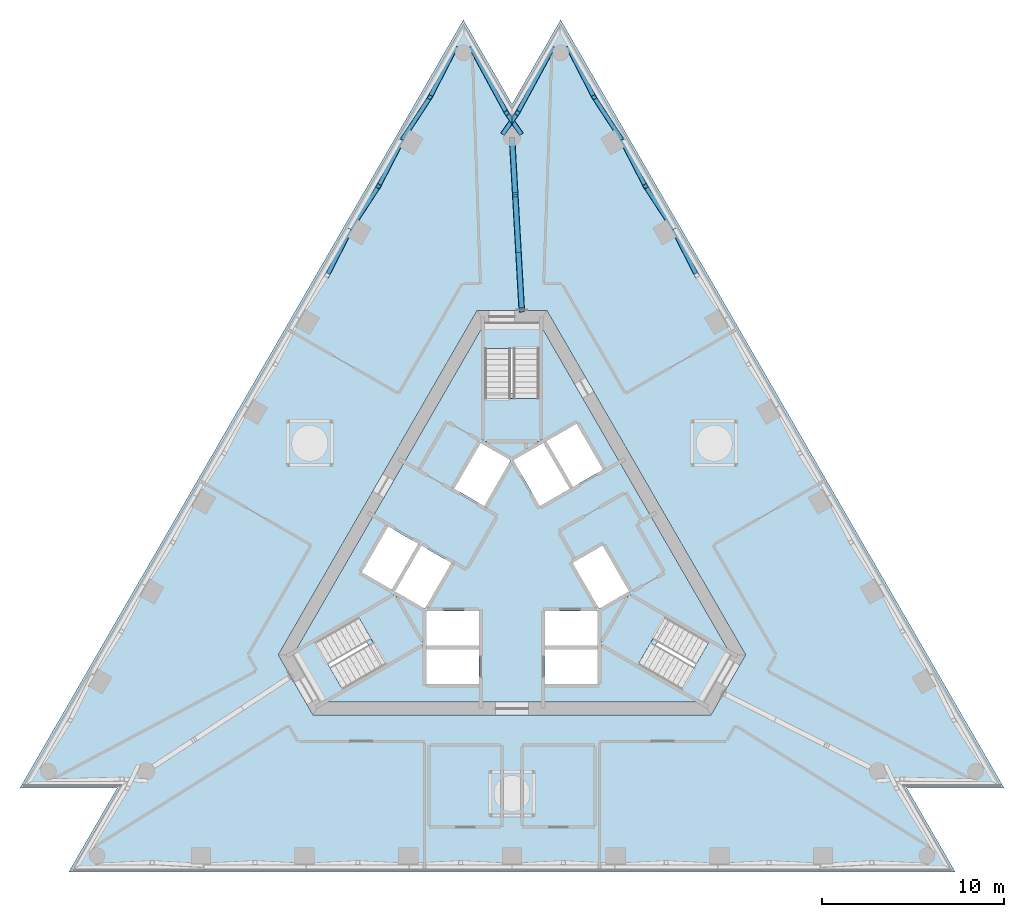
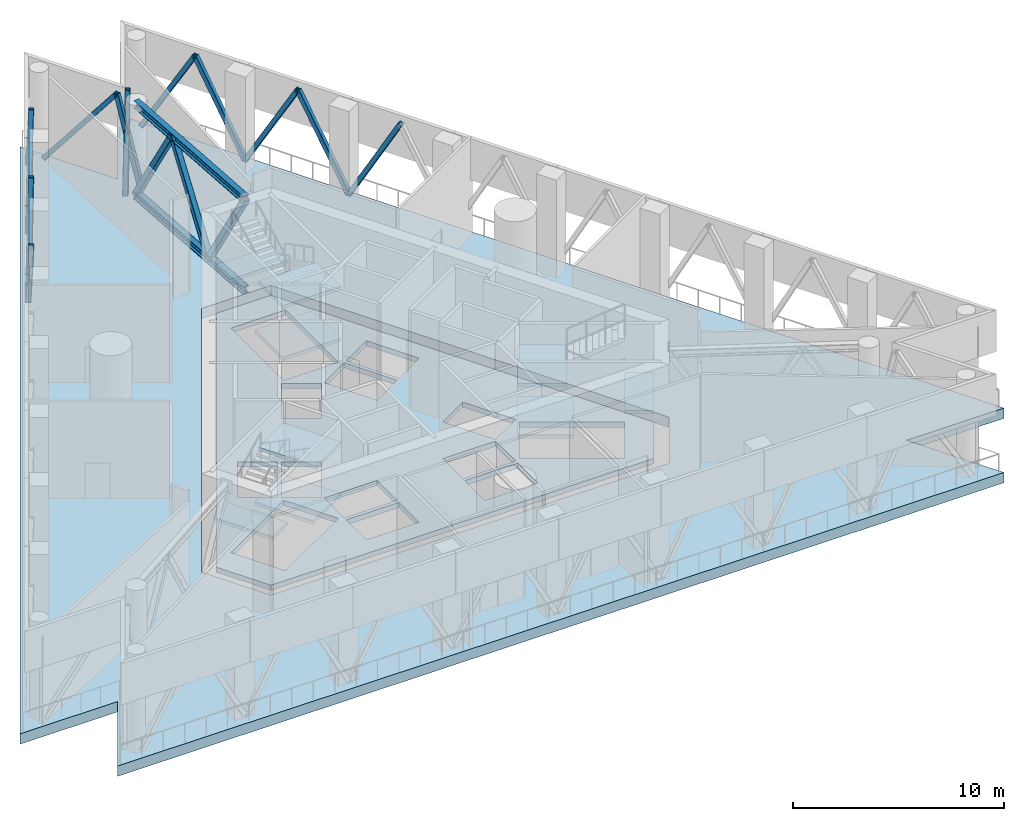
# One storey, part 6 of 15: 19 members, 11 slabs, 3 elements without a shape of their own.
"""IFC4 building model written with IfcOpenShell, lengths in metres."""

from ifc_helpers import new_model, si_unit, direction, frame, origin, origin_2d, place, context, subcontext, project, spatial, polyline, hollow_rectangle, i_section, outline, extrude, material, layer, layer_set, material_profile, profile_set, type_object, element, aggregate, save


model = new_model("IFC4")

# Units and contexts
model_context = context("Model", 3, precision=1e-05, world=origin(), true_north=direction((0.0, 1.0)))
body_context = subcontext(model_context, "Body", "Model", "MODEL_VIEW")
ifc_project = project(units=[si_unit("LENGTHUNIT", "METRE"), si_unit("AREAUNIT", "SQUARE_METRE"), si_unit("VOLUMEUNIT", "CUBIC_METRE"), si_unit("PLANEANGLEUNIT", "RADIAN"), si_unit("MASSUNIT", "GRAM", prefix="KILO")], contexts=[model_context])

# Site, building, storey
site_placement = place(None, origin())
site = spatial("IfcSite", under=ifc_project, at=site_placement, CompositionType="ELEMENT")
building_placement = place(site_placement, origin())
building = spatial("IfcBuilding", under=site, at=building_placement, Name="Triada Interchange Tower", CompositionType="ELEMENT")
storey_placement = place(building_placement, frame((0.0, 0.0, 255.800048828125)))
storey = spatial("IfcBuildingStorey", under=building, at=storey_placement, Name="L60", CompositionType="ELEMENT", Elevation=255.800048828125)

# Members
ifc_material_1 = material(Name="Steel S355", Category="steel")
ifc_material_profile_1 = material_profile(ifc_material_1, hollow_rectangle(XDim=0.25, YDim=0.25, WallThickness=0.012451171875, InnerFilletRadius=0.012451171875, OuterFilletRadius=0.018798828125, at=origin_2d()), Name="RHS 250x250x12.5")
ifc_profile_set_1 = profile_set([ifc_material_profile_1], Name="Steel S355")
member_type_1 = type_object("IfcMemberType", Name="Belt truss diagonal RHS 250x250x12.5", PredefinedType="BRACE", material=ifc_profile_set_1)
member_1_placement = place(storey_placement, frame((-3.114990234375, 28.0791015625, 0.14990234375), z_axis=(-0.230299625244, -0.447658334431, 0.864039407798), x_axis=(0.88922692845, -0.457466359113, 0.0)))
element("IfcMember", 1, at=member_1_placement, inside=storey, type_object=member_type_1, Name="Belt truss diagonal 001 L60", PredefinedType="BRACE", context=body_context, shape_type="SweptSolid", body=[
    extrude(hollow_rectangle(XDim=0.25, YDim=0.25, WallThickness=0.012451171875, InnerFilletRadius=0.012451171875, OuterFilletRadius=0.018798828125, at=origin_2d()), origin(), (0.0, 0.0, 1.0), 6.01806640625),
])
member_2_placement = place(storey_placement, frame((-5.9599609375, 23.152099609375, 0.14990234375), z_axis=(0.249648957089, 0.382076533055, 0.889771274605), x_axis=(-0.837140493837, 0.546987928184, 0.0)))
element("IfcMember", 2, at=member_2_placement, inside=storey, type_object=member_type_1, Name="Belt truss diagonal 002 L60", PredefinedType="BRACE", context=body_context, shape_type="SweptSolid", body=[
    extrude(hollow_rectangle(XDim=0.25, YDim=0.25, WallThickness=0.012451171875, InnerFilletRadius=0.012451171875, OuterFilletRadius=0.018798828125, at=origin_2d()), origin(), (0.0, 0.0, 1.0), 5.84423828125),
])
member_3_placement = place(storey_placement, frame((-5.9599609375, 23.15087890625, 0.14990234375), z_axis=(-0.227135060924, -0.442047607359, 0.867757787016), x_axis=(0.889454449962, -0.45702383028, 0.0)))
element("IfcMember", 3, at=member_3_placement, inside=storey, type_object=member_type_1, Name="Belt truss diagonal 003 L60", PredefinedType="BRACE", context=body_context, shape_type="SweptSolid", body=[
    extrude(hollow_rectangle(XDim=0.25, YDim=0.25, WallThickness=0.012451171875, InnerFilletRadius=0.012451171875, OuterFilletRadius=0.018798828125, at=origin_2d()), origin(), (0.0, 0.0, 1.0), 5.992431640625),
])
member_4_placement = place(storey_placement, frame((-8.804931640625, 18.222900390625, 0.14990234375), z_axis=(0.25287016566, 0.388374958281, 0.886127288316), x_axis=(-0.838022905001, 0.545635052662, 0.0)))
element("IfcMember", 4, at=member_4_placement, inside=storey, type_object=member_type_1, Name="Belt truss diagonal 004 L60", PredefinedType="BRACE", context=body_context, shape_type="SweptSolid", body=[
    extrude(hollow_rectangle(XDim=0.25, YDim=0.25, WallThickness=0.012451171875, InnerFilletRadius=0.012451171875, OuterFilletRadius=0.018798828125, at=origin_2d()), origin(), (0.0, 0.0, 1.0), 5.8681640625),
])
member_5_placement = place(storey_placement, frame((-8.804931640625, 18.222900390625, 0.14990234375), z_axis=(-0.223732265336, -0.43641703403, 0.87148381847), x_axis=(0.889876521651, -0.456201464503, 0.0)))
element("IfcMember", 5, at=member_5_placement, inside=storey, type_object=member_type_1, Name="Belt truss diagonal 005 L60", PredefinedType="BRACE", context=body_context, shape_type="SweptSolid", body=[
    extrude(hollow_rectangle(XDim=0.25, YDim=0.25, WallThickness=0.012451171875, InnerFilletRadius=0.012451171875, OuterFilletRadius=0.018798828125, at=origin_2d()), origin(), (0.0, 0.0, 1.0), 5.966796875),
])
member_6_placement = place(storey_placement, frame((8.804931640625, 18.22412109375, 0.14990234375), z_axis=(0.223556817487, -0.436598608968, 0.871437894518), x_axis=(0.890098665518, 0.455767885708, 0.0)))
element("IfcMember", 6, at=member_6_placement, inside=storey, type_object=member_type_1, Name="Belt truss diagonal 052 L60", PredefinedType="BRACE", context=body_context, shape_type="SweptSolid", body=[
    extrude(hollow_rectangle(XDim=0.25, YDim=0.25, WallThickness=0.012451171875, InnerFilletRadius=0.012451171875, OuterFilletRadius=0.018798828125, at=origin_2d()), origin(), (0.0, 0.0, 1.0), 5.967041015625),
])
member_7_placement = place(storey_placement, frame((8.804931640625, 18.222900390625, 0.14990234375), z_axis=(-0.25287016566, 0.388374958281, 0.886127288316), x_axis=(-0.838022905001, -0.545635052662, 0.0)))
element("IfcMember", 7, at=member_7_placement, inside=storey, type_object=member_type_1, Name="Belt truss diagonal 053 L60", PredefinedType="BRACE", context=body_context, shape_type="SweptSolid", body=[
    extrude(hollow_rectangle(XDim=0.25, YDim=0.25, WallThickness=0.012451171875, InnerFilletRadius=0.012451171875, OuterFilletRadius=0.018798828125, at=origin_2d()), origin(), (0.0, 0.0, 1.0), 5.8681640625),
])
member_8_placement = place(storey_placement, frame((5.9599609375, 23.15087890625, 0.14990234375), z_axis=(0.227135060924, -0.442047607359, 0.867757787016), x_axis=(0.889454449962, 0.45702383028, 0.0)))
element("IfcMember", 8, at=member_8_placement, inside=storey, type_object=member_type_1, Name="Belt truss diagonal 054 L60", PredefinedType="BRACE", context=body_context, shape_type="SweptSolid", body=[
    extrude(hollow_rectangle(XDim=0.25, YDim=0.25, WallThickness=0.012451171875, InnerFilletRadius=0.012451171875, OuterFilletRadius=0.018798828125, at=origin_2d()), origin(), (0.0, 0.0, 1.0), 5.992431640625),
])
member_9_placement = place(storey_placement, frame((5.9599609375, 23.152099609375, 0.14990234375), z_axis=(-0.249648957089, 0.382076533055, 0.889771274605), x_axis=(-0.837140493837, -0.546987928184, 0.0)))
element("IfcMember", 9, at=member_9_placement, inside=storey, type_object=member_type_1, Name="Belt truss diagonal 055 L60", PredefinedType="BRACE", context=body_context, shape_type="SweptSolid", body=[
    extrude(hollow_rectangle(XDim=0.25, YDim=0.25, WallThickness=0.012451171875, InnerFilletRadius=0.012451171875, OuterFilletRadius=0.018798828125, at=origin_2d()), origin(), (0.0, 0.0, 1.0), 5.84423828125),
])
member_10_placement = place(storey_placement, frame((3.114990234375, 28.0791015625, 0.14990234375), z_axis=(0.230299625244, -0.447658334431, 0.864039407798), x_axis=(0.88922692845, 0.457466359113, 0.0)))
element("IfcMember", 10, at=member_10_placement, inside=storey, type_object=member_type_1, Name="Belt truss diagonal 056 L60", PredefinedType="BRACE", context=body_context, shape_type="SweptSolid", body=[
    extrude(hollow_rectangle(XDim=0.25, YDim=0.25, WallThickness=0.012451171875, InnerFilletRadius=0.012451171875, OuterFilletRadius=0.018798828125, at=origin_2d()), origin(), (0.0, 0.0, 1.0), 6.01806640625),
])
member_11_placement = place(storey_placement, frame((2.222900390625, 28.077880859375, 0.14990234375), z_axis=(-0.29294677383, -0.539607586811, 0.789307189856), x_axis=(0.878841862564, -0.477113173791, 0.0)))
element("IfcMember", 11, at=member_11_placement, inside=storey, type_object=member_type_1, Name="Belt truss diagonal 057 L60", PredefinedType="BRACE", context=body_context, shape_type="SweptSolid", body=[
    extrude(hollow_rectangle(XDim=0.25, YDim=0.25, WallThickness=0.012451171875, InnerFilletRadius=0.012451171875, OuterFilletRadius=0.018798828125, at=origin_2d()), origin(), (0.0, 0.0, 1.0), 6.587890625),
])
for number, where, z_axis, x_axis, name in (
    (12, (-0.446044921875, 23.455078125, 0.14990234375), (0.137884367241, 0.199242227391, 0.970201234845), (-0.822293696308, 0.569063333042, 0.0), "Belt truss diagonal 058 L60"),
    (13, (0.446044921875, 23.455078125, 0.14990234375), (-0.137884367241, 0.199242227391, 0.970201234845), (-0.822293696308, -0.569063333042, 0.0), "Belt truss diagonal 059 L60"),
):
    element("IfcMember", number, at=place(storey_placement, frame(where, z_axis=z_axis, x_axis=x_axis)), inside=storey, type_object=member_type_1, Name=name, PredefinedType="BRACE", context=body_context, shape_type="SweptSolid", body=[
        extrude(hollow_rectangle(XDim=0.25, YDim=0.25, WallThickness=0.012451171875, InnerFilletRadius=0.012451171875, OuterFilletRadius=0.018798828125, at=origin_2d()), origin(), (0.0, 0.0, 1.0), 5.359619140625),
    ])
member_12_placement = place(storey_placement, frame((-2.222900390625, 28.077880859375, 0.14990234375), z_axis=(0.29294677383, -0.539607586811, 0.789307189856), x_axis=(0.878841862564, 0.477113173791, 0.0)))
element("IfcMember", 14, at=member_12_placement, inside=storey, type_object=member_type_1, Name="Belt truss diagonal 060 L60", PredefinedType="BRACE", context=body_context, shape_type="SweptSolid", body=[
    extrude(hollow_rectangle(XDim=0.25, YDim=0.25, WallThickness=0.012451171875, InnerFilletRadius=0.012451171875, OuterFilletRadius=0.018798828125, at=origin_2d()), origin(), (0.0, 0.0, 1.0), 6.587890625),
])
ifc_material_2 = material(Name="Steel S460M", Category="steel")
ifc_material_profile_2 = material_profile(ifc_material_2, i_section(OverallWidth=0.306884765625, OverallDepth=0.431884765625, WebThickness=0.02099609375, FlangeThickness=0.0400390625, FilletRadius=0.027099609375, at=origin_2d()), Name="HEM 400")
ifc_profile_set_2 = profile_set([ifc_material_profile_2], Name="Steel S460M")
member_type_2 = type_object("IfcMemberType", Name="Outrigger chord HEM 400", PredefinedType="CHORD", material=ifc_profile_set_2)
for number, where, z_axis, x_axis, name in (
    (15, (0.533935546875, 13.718017578125, 0.216064453125), (-0.056233309623, 0.998417655537, 0.0), (-0.998417655537, -0.056233309623, 0.0), "Outrigger bottom chord N L60"),
    (16, (0.533935546875, 13.718017578125, 5.48388671875), (-0.056233309623, 0.998417655537, 0.0), (-0.998417655537, -0.056233309623, 0.0), "Outrigger top chord N L60"),
):
    element("IfcMember", number, at=place(storey_placement, frame(where, z_axis=z_axis, x_axis=x_axis)), inside=storey, type_object=member_type_2, Name=name, PredefinedType="CHORD", context=body_context, shape_type="SweptSolid", body=[
        extrude(i_section(OverallWidth=0.306884765625, OverallDepth=0.431884765625, WebThickness=0.02099609375, FlangeThickness=0.0400390625, FilletRadius=0.027099609375, at=origin_2d()), origin(), (0.0, 0.0, 1.0), 9.4951171875),
    ])
ifc_material_profile_3 = material_profile(ifc_material_1, hollow_rectangle(XDim=0.300048828125, YDim=0.300048828125, WallThickness=0.01611328125, InnerFilletRadius=0.01611328125, OuterFilletRadius=0.02392578125, at=origin_2d()), Name="RHS 300x300x16")
ifc_profile_set_3 = profile_set([ifc_material_profile_3], Name="Steel S355")
member_type_3 = type_object("IfcMemberType", Name="Outrigger diagonal RHS 300x300x16", PredefinedType="BRACE", material=ifc_profile_set_3)
for number, where, z_axis, x_axis, name in (
    (17, (0.533935546875, 13.718017578125, 5.48388671875), (-0.028960977773, 0.5141864682, -0.857189324296), (-0.998417574227, -0.056234753273, 0.0), "Outrigger diagonal N 1 L60"),
    (18, (0.35595703125, 16.8779296875, 0.216064453125), (-0.02896038618, 0.514215690968, 0.857171814279), (-0.99841781814, -0.056230422545, 0.0), "Outrigger diagonal N 2 L60"),
    (19, (0.177978515625, 20.0380859375, 5.48388671875), (-0.028960977773, 0.5141864682, -0.857189324296), (-0.998417574227, -0.056234753273, 0.0), "Outrigger diagonal N 3 L60"),
):
    element("IfcMember", number, at=place(storey_placement, frame(where, z_axis=z_axis, x_axis=x_axis)), inside=storey, type_object=member_type_3, Name=name, PredefinedType="BRACE", context=body_context, shape_type="SweptSolid", body=[
        extrude(hollow_rectangle(XDim=0.300048828125, YDim=0.300048828125, WallThickness=0.01611328125, InnerFilletRadius=0.01611328125, OuterFilletRadius=0.02392578125, at=origin_2d()), origin(), (0.0, 0.0, 1.0), 6.1455078125),
    ])

# Slab
ifc_material_3 = material(Name="Concrete C50/60", Category="concrete")
ifc_layer_1 = layer(ifc_material_3, 0.300048828125)
ifc_layer_set_1 = layer_set([ifc_layer_1], Name="Floor slab 300")
slab_type_1 = type_object("IfcSlabType", Name="Floor slab 300", PredefinedType="FLOOR", material=ifc_layer_set_1)
slab_1_placement = place(storey_placement, frame((0.0, 0.0, -0.300048828125)))
element("IfcSlab", 20, at=slab_1_placement, inside=storey, type_object=slab_type_1, Name="Core floor slab L60 1", PredefinedType="FLOOR", context=body_context, shape_type="SweptSolid", body=[
    extrude(outline(polyline([(12.009033203125, -5.199951171875), (10.508056640625, -7.800048828125), (-10.508056640625, -7.800048828125), (-12.009033203125, -5.199951171875), (-1.5009765625, 13.0), (1.5009765625, 13.0), (12.009033203125, -5.199951171875)]), holes=[polyline([(9.2958984375, -7.09912109375), (10.7958984375, -4.5009765625), (6.466064453125, -2.0009765625), (4.966064453125, -4.59912109375), (9.2958984375, -7.09912109375)]), polyline([(4.77490234375, -2.669921875), (6.419921875, -1.719970703125), (4.969970703125, 0.791015625), (4.137939453125, 0.31103515625), (3.324951171875, -0.158935546875), (4.77490234375, -2.669921875)]), polyline([(1.89404296875, 6.52001953125), (3.343994140625, 4.009033203125), (4.989013671875, 4.958984375), (3.5390625, 7.469970703125), (1.89404296875, 6.52001953125)]), polyline([(1.800048828125, -4.89990234375), (1.800048828125, -6.4990234375), (1.800048828125, -6.800048828125), (4.699951171875, -6.800048828125), (4.699951171875, -4.89990234375), (1.800048828125, -4.89990234375)]), polyline([(4.699951171875, -2.800048828125), (1.800048828125, -2.800048828125), (1.800048828125, -4.699951171875), (4.699951171875, -4.699951171875), (4.699951171875, -2.800048828125)]), polyline([(0.074951171875, 5.469970703125), (1.52490234375, 2.958984375), (3.169921875, 3.908935546875), (1.719970703125, 6.419921875), (0.074951171875, 5.469970703125)]), polyline([(-1.5, 11.60009765625), (-1.5, 6.60009765625), (1.5, 6.60009765625), (1.5, 11.60009765625), (-1.5, 11.60009765625)]), polyline([(-1.52490234375, 2.958984375), (-0.074951171875, 5.469970703125), (-1.719970703125, 6.419921875), (-3.169921875, 3.908935546875), (-1.52490234375, 2.958984375)]), polyline([(-1.800048828125, -2.800048828125), (-4.699951171875, -2.800048828125), (-4.699951171875, -4.699951171875), (-1.800048828125, -4.699951171875), (-1.800048828125, -2.800048828125)]), polyline([(-4.699951171875, -6.800048828125), (-1.800048828125, -6.800048828125), (-1.800048828125, -6.4990234375), (-1.800048828125, -4.89990234375), (-4.699951171875, -4.89990234375), (-4.699951171875, -6.800048828125)]), polyline([(-3.367919921875, -0.134033203125), (-4.969970703125, 0.791015625), (-6.419921875, -1.719970703125), (-4.77490234375, -2.669921875), (-3.324951171875, -0.158935546875), (-3.367919921875, -0.134033203125)]), polyline([(-10.7958984375, -4.5009765625), (-9.2958984375, -7.09912109375), (-4.966064453125, -4.59912109375), (-6.466064453125, -2.0009765625), (-10.7958984375, -4.5009765625)]), polyline([(-6.593994140625, -1.6201171875), (-5.14404296875, 0.89111328125), (-6.7890625, 1.841064453125), (-8.239013671875, -0.669921875), (-6.593994140625, -1.6201171875)])]), origin(), (0.0, 0.0, 1.0), 0.300048828125),
])

# Stair, slabs
ifc_material_4 = material(Name="Concrete C35/45", Category="concrete")
stair_type = type_object("IfcStairType", Name="HALF TURN STAIR 1400", PredefinedType="HALF_TURN_STAIR", material=ifc_material_4)
stair_1_placement = place(storey_placement, origin())
stair_1 = element("IfcStair", 21, at=stair_1_placement, inside=storey, type_object=stair_type, Name="Exit stair S60-1", PredefinedType="HALF_TURN_STAIR")
ifc_layer_2 = layer(ifc_material_4, 0.199951171875)
ifc_layer_set_2 = layer_set([ifc_layer_2], Name="STAIR LANDING 200")
slab_type_2 = type_object("IfcSlabType", Name="STAIR LANDING 200", PredefinedType="LANDING", material=ifc_layer_set_2)
slab_2_placement = place(storey_placement, frame((0.0, 0.0, 1.220947265625)))
slab_2 = element("IfcSlab", 22, at=slab_2_placement, type_object=slab_type_2, Name="S60-1 landing 1", PredefinedType="LANDING", context=body_context, shape_type="SweptSolid", body=[
    extrude(outline(polyline([(1.60009765625, 6.5), (1.60009765625, 9.159912109375), (-1.60009765625, 9.159912109375), (-1.60009765625, 6.5), (1.60009765625, 6.5)])), origin(), (0.0, 0.0, 1.0), 0.199951171875),
])
slab_3_placement = place(storey_placement, frame((0.0, 0.0, 4.220947265625)))
slab_3 = element("IfcSlab", 23, at=slab_3_placement, type_object=slab_type_2, Name="S60-1 landing 2", PredefinedType="LANDING", context=body_context, shape_type="SweptSolid", body=[
    extrude(outline(polyline([(1.60009765625, 6.5), (1.60009765625, 8.85498046875), (-1.60009765625, 8.85498046875), (-1.60009765625, 6.5), (1.60009765625, 6.5)])), origin(), (0.0, 0.0, 1.0), 0.199951171875),
])
slab_4_placement = place(storey_placement, frame((0.0, 0.0, 2.641845703125)))
slab_4 = element("IfcSlab", 24, at=slab_4_placement, type_object=slab_type_2, Name="S60-1 landing 3", PredefinedType="LANDING", context=body_context, shape_type="SweptSolid", body=[
    extrude(outline(polyline([(1.60009765625, 11.60009765625), (1.60009765625, 13.0), (-1.60009765625, 13.0), (-1.60009765625, 11.60009765625), (1.60009765625, 11.60009765625)])), origin(), (0.0, 0.0, 1.0), 0.2001953125),
])
aggregate(stair_1, [slab_2, slab_3, slab_4])

stair_2_placement = place(storey_placement, origin())
stair_2 = element("IfcStair", 25, at=stair_2_placement, inside=storey, type_object=stair_type, Name="Exit stair S60-2", PredefinedType="HALF_TURN_STAIR")
slab_5_placement = place(storey_placement, frame((0.0, 0.0, 1.220947265625)))
slab_5 = element("IfcSlab", 26, at=slab_5_placement, type_object=slab_type_2, Name="S60-2 landing 1", PredefinedType="LANDING", context=body_context, shape_type="SweptSolid", body=[
    extrude(outline(polyline([(-6.428955078125, -1.864013671875), (-8.73291015625, -3.194091796875), (-7.133056640625, -5.966064453125), (-4.8291015625, -4.635986328125), (-6.428955078125, -1.864013671875)])), origin(), (0.0, 0.0, 1.0), 0.199951171875),
])
slab_6_placement = place(storey_placement, frame((0.0, 0.0, 4.220947265625)))
slab_6 = element("IfcSlab", 27, at=slab_6_placement, type_object=slab_type_2, Name="S60-2 landing 2", PredefinedType="LANDING", context=body_context, shape_type="SweptSolid", body=[
    extrude(outline(polyline([(-6.428955078125, -1.864013671875), (-8.468994140625, -3.0419921875), (-6.868896484375, -5.81298828125), (-4.8291015625, -4.635986328125), (-6.428955078125, -1.864013671875)])), origin(), (0.0, 0.0, 1.0), 0.199951171875),
])
slab_7_placement = place(storey_placement, frame((0.0, 0.0, 2.641845703125)))
slab_7 = element("IfcSlab", 28, at=slab_7_placement, type_object=slab_type_2, Name="S60-2 landing 3", PredefinedType="LANDING", context=body_context, shape_type="SweptSolid", body=[
    extrude(outline(polyline([(-10.845947265625, -4.4140625), (-12.05810546875, -5.114013671875), (-10.4580078125, -7.885986328125), (-9.24609375, -7.18603515625), (-10.845947265625, -4.4140625)])), origin(), (0.0, 0.0, 1.0), 0.2001953125),
])
aggregate(stair_2, [slab_5, slab_6, slab_7])

stair_3_placement = place(storey_placement, origin())
stair_3 = element("IfcStair", 29, at=stair_3_placement, inside=storey, type_object=stair_type, Name="Exit stair S60-3", PredefinedType="HALF_TURN_STAIR")
slab_8_placement = place(storey_placement, frame((0.0, 0.0, 1.220947265625)))
slab_8 = element("IfcSlab", 30, at=slab_8_placement, type_object=slab_type_2, Name="S60-3 landing 1", PredefinedType="LANDING", context=body_context, shape_type="SweptSolid", body=[
    extrude(outline(polyline([(4.8291015625, -4.635986328125), (7.133056640625, -5.966064453125), (8.73291015625, -3.194091796875), (6.428955078125, -1.864013671875), (4.8291015625, -4.635986328125)])), origin(), (0.0, 0.0, 1.0), 0.199951171875),
])
slab_9_placement = place(storey_placement, frame((0.0, 0.0, 4.220947265625)))
slab_9 = element("IfcSlab", 31, at=slab_9_placement, type_object=slab_type_2, Name="S60-3 landing 2", PredefinedType="LANDING", context=body_context, shape_type="SweptSolid", body=[
    extrude(outline(polyline([(4.8291015625, -4.635986328125), (6.868896484375, -5.81298828125), (8.468994140625, -3.0419921875), (6.428955078125, -1.864013671875), (4.8291015625, -4.635986328125)])), origin(), (0.0, 0.0, 1.0), 0.199951171875),
])
slab_10_placement = place(storey_placement, frame((0.0, 0.0, 2.641845703125)))
slab_10 = element("IfcSlab", 32, at=slab_10_placement, type_object=slab_type_2, Name="S60-3 landing 3", PredefinedType="LANDING", context=body_context, shape_type="SweptSolid", body=[
    extrude(outline(polyline([(9.24609375, -7.18603515625), (10.4580078125, -7.885986328125), (12.05810546875, -5.114013671875), (10.845947265625, -4.4140625), (9.24609375, -7.18603515625)])), origin(), (0.0, 0.0, 1.0), 0.2001953125),
])
aggregate(stair_3, [slab_8, slab_9, slab_10])

# Slab
ifc_layer_3 = layer(ifc_material_3, 0.60009765625)
ifc_layer_set_3 = layer_set([ifc_layer_3], Name="Transfer slab 600")
slab_type_3 = type_object("IfcSlabType", Name="Transfer slab 600", PredefinedType="FLOOR", material=ifc_layer_set_3)
slab_11_placement = place(storey_placement, frame((0.0, 0.0, -0.60009765625)))
element("IfcSlab", 33, at=slab_11_placement, inside=storey, type_object=slab_type_3, Name="Floor slab L60", PredefinedType="FLOOR", context=body_context, shape_type="SweptSolid", body=[
    extrude(outline(polyline([(-2.6689453125, 29.62109375), (-26.987060546875, -12.4990234375), (-21.64892578125, -12.4990234375), (-24.318115234375, -17.1220703125), (24.318115234375, -17.1220703125), (21.64892578125, -12.4990234375), (26.987060546875, -12.4990234375), (2.6689453125, 29.62109375), (0.0, 24.998046875), (-2.6689453125, 29.62109375)]), holes=[polyline([(1.905029296875, 13.699951171875), (-1.905029296875, 13.699951171875), (-12.81689453125, -5.199951171875), (-10.912109375, -8.5), (10.912109375, -8.5), (12.81689453125, -5.199951171875), (1.905029296875, 13.699951171875)])]), origin(), (0.0, 0.0, 1.0), 0.60009765625),
])

save(model, "model.ifc")
